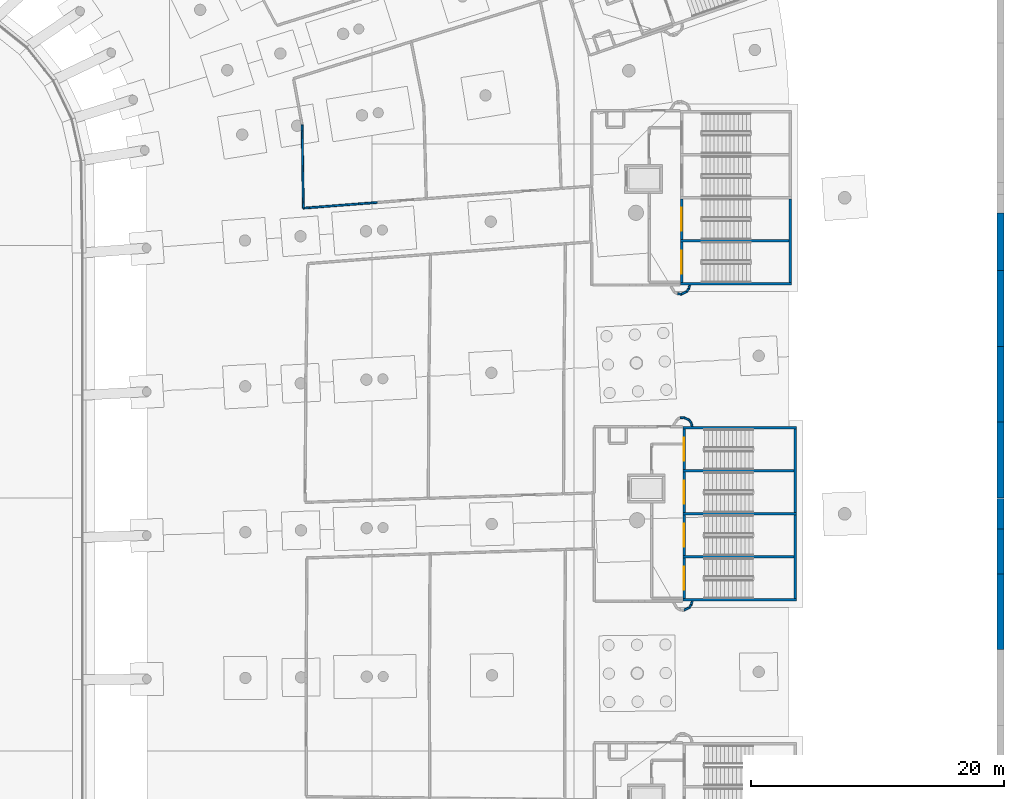
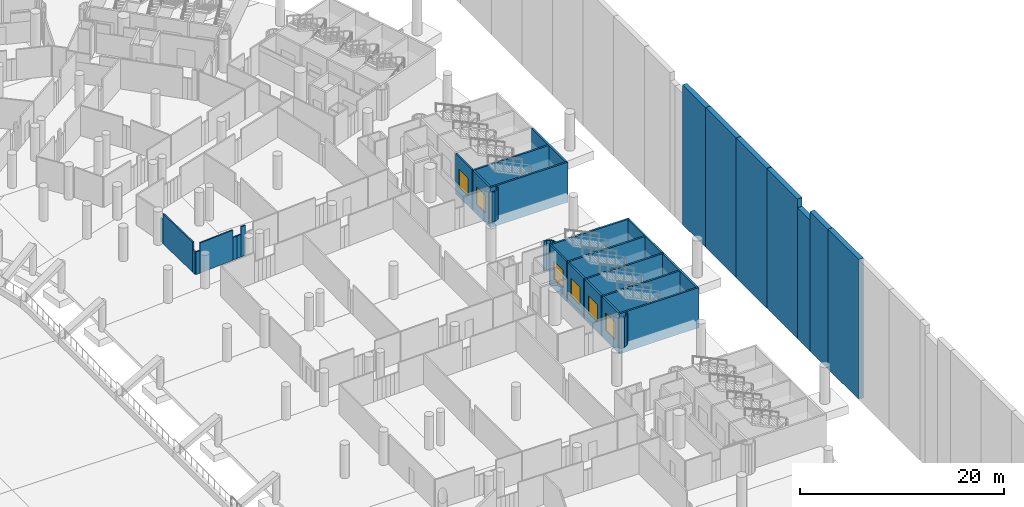
# One storey, part 84 of 142: 42 walls, 6 doors, 6 openings.
"""IFC4 building model written with IfcOpenShell, lengths in metres."""

from ifc_helpers import new_model, si_unit, direction, frame, frame_2d, origin, place, context, subcontext, project, spatial, rectangle, extrude, material, layer, layer_set, type_object, element, fill, save


model = new_model("IFC4")

# Units and contexts
model_context = context("Model", 3, precision=1e-05, world=origin(), true_north=direction((0.0, 1.0)))
body_context = subcontext(model_context, "Body", "Model", "MODEL_VIEW")
ifc_project = project(units=[si_unit("LENGTHUNIT", "METRE"), si_unit("AREAUNIT", "SQUARE_METRE"), si_unit("VOLUMEUNIT", "CUBIC_METRE"), si_unit("PLANEANGLEUNIT", "RADIAN"), si_unit("MASSUNIT", "GRAM", prefix="KILO")], contexts=[model_context])

# Site, building, storey
site_placement = place(None, origin())
site = spatial("IfcSite", under=ifc_project, at=site_placement, CompositionType="ELEMENT")
building_placement = place(site_placement, origin())
building = spatial("IfcBuilding", under=site, at=building_placement, Name="Meseta Stadium", CompositionType="ELEMENT")
storey_placement = place(building_placement, frame((0.0, 0.0, -4.0)))
storey = spatial("IfcBuildingStorey", under=building, at=storey_placement, Name="B1", CompositionType="ELEMENT", Elevation=-4.0)

# Walls
ifc_material_1 = material(Name="Concrete C40/50", Category="concrete")
ifc_layer_1 = layer(ifc_material_1, 0.199951171875)
ifc_layer_set_1 = layer_set([ifc_layer_1], Name="Core divider wall 200")
wall_type_1 = type_object("IfcWallType", Name="Core divider wall 200", PredefinedType="SHEAR", material=ifc_layer_set_1)
for number, where, z_axis, x_axis, name in (
    (1, (97.60009765625, 15.35009765625, -1.199951171875), (0.0, 0.0, 1.0), (-1.0, 0.0, 0.0), "Core 04 B1 stair A divider wall"),
    (2, (97.60009765625, 22.14990234375, -1.199951171875), (0.0, 0.0, 1.0), (-1.0, 0.0, 0.0), "Core 04 B1 stair B divider wall"),
):
    element("IfcWall", number, at=place(storey_placement, frame(where, z_axis=z_axis, x_axis=x_axis)), inside=storey, type_object=wall_type_1, Name=name, PredefinedType="SHEAR", context=body_context, shape_type="SweptSolid", body=[
        extrude(rectangle(XDim=9.0, YDim=0.199951171875, at=frame_2d((4.5, 0.0))), origin(), (0.0, 0.0, 1.0), 4.800048828125),
    ])
wall_1_placement = place(storey_placement, frame((97.199951171875, 40.35009765625, -1.199951171875), z_axis=(0.0, 0.0, 1.0), x_axis=(-1.0, 0.0, 0.0)))
element("IfcWall", 3, at=wall_1_placement, inside=storey, type_object=wall_type_1, Name="Core 05 B1 stair A divider wall", PredefinedType="SHEAR", context=body_context, shape_type="SweptSolid", body=[
    extrude(rectangle(XDim=8.800048828125, YDim=0.199951171875, at=frame_2d((4.39990234375, 0.0))), origin(), (0.0, 0.0, 1.0), 4.800048828125),
])
ifc_material_2 = material(Name="Concrete C40/50", Category="concrete")
ifc_layer_2 = layer(ifc_material_2, 0.199951171875)
ifc_layer_set_2 = layer_set([ifc_layer_2], Name="Core shaft wall 200")
wall_type_2 = type_object("IfcWallType", Name="Core shaft wall 200", PredefinedType="SHEAR", material=ifc_layer_set_2)
for number, where, z_axis, x_axis, name in (
    (4, (97.60009765625, 11.949951171875, -1.199951171875), (0.0, 0.0, 1.0), (-1.0, 0.0, 0.0), "Core 04 B1 stair wall A-side"),
    (5, (97.60009765625, 18.75, -1.199951171875), (0.0, 0.0, 1.0), (-1.0, 0.0, 0.0), "Core 04 B1 stair wall shared"),
    (6, (97.60009765625, 25.550048828125, -1.199951171875), (0.0, 0.0, 1.0), (-1.0, 0.0, 0.0), "Core 04 B1 stair wall B-side"),
):
    element("IfcWall", number, at=place(storey_placement, frame(where, z_axis=z_axis, x_axis=x_axis)), inside=storey, type_object=wall_type_2, Name=name, PredefinedType="SHEAR", context=body_context, shape_type="SweptSolid", body=[
        extrude(rectangle(XDim=9.0, YDim=0.199951171875, at=frame_2d((4.5, 0.0))), origin(), (0.0, 0.0, 1.0), 4.800048828125),
    ])
for number, where, z_axis, x_axis, name in (
    (7, (97.5, 12.050048828125, -1.199951171875), (0.0, 0.0, 1.0), (0.0, 1.0, 0.0), "Core 04 B1 stair A outer end wall"),
    (8, (97.5, 18.85009765625, -1.199951171875), (0.0, 0.0, 1.0), (0.0, 1.0, 0.0), "Core 04 B1 stair B outer end wall"),
):
    element("IfcWall", number, at=place(storey_placement, frame(where, z_axis=z_axis, x_axis=x_axis)), inside=storey, type_object=wall_type_2, Name=name, PredefinedType="SHEAR", context=body_context, shape_type="SweptSolid", body=[
        extrude(rectangle(XDim=6.599853515625, YDim=0.199951171875, at=frame_2d((3.2998046875, 0.0))), origin(), (0.0, 0.0, 1.0), 4.800048828125),
    ])

# Wall, opening, door
wall_2_placement = place(storey_placement, frame((88.699951171875, 12.050048828125, -1.199951171875), z_axis=(0.0, 0.0, 1.0), x_axis=(0.0, 1.0, 0.0)))
wall_2 = element("IfcWall", 9, at=wall_2_placement, inside=storey, type_object=wall_type_2, Name="Core 04 B1 stair A1 inner end wall", PredefinedType="SHEAR", context=body_context, shape_type="SweptSolid", body=[
    extrude(rectangle(XDim=3.199951171875, YDim=0.199951171875, at=frame_2d((1.60009765625, 0.0))), origin(), (0.0, 0.0, 1.0), 4.800048828125),
])
opening_1_placement = place(wall_2_placement, frame((0.699951171875, 0.0, 1.199951171875)))
opening_1 = element("IfcOpeningElement", 10, at=opening_1_placement, cuts=wall_2, Name="Opening D067", PredefinedType="OPENING", context=body_context, shape_type="SweptSolid", body=[
    extrude(rectangle(XDim=1.800048828125, YDim=2.10009765625, at=frame_2d((0.89990234375, 1.050048828125))), frame((0.0, 0.10986328125, 0.0), z_axis=(0.0, -1.0, 0.0), x_axis=(1.0, 0.0, 0.0)), (0.0, 0.0, 1.0), 0.219970703125),
])
ifc_material_3 = material(Name="Steel", Category="steel")
door_type = type_object("IfcDoorType", Name="Stair door 1800x2100", OperationType="DOUBLE_DOOR_SINGLE_SWING", PredefinedType="DOOR", material=ifc_material_3)
door_1_placement = place(opening_1_placement, origin())
door_1 = element("IfcDoor", 11, at=door_1_placement, inside=storey, type_object=door_type, Name="Stair A1 door 04 B1", OperationType="DOUBLE_DOOR_SINGLE_SWING", OverallHeight=2.10009765625, OverallWidth=1.800048828125, PredefinedType="DOOR", context=body_context, shape_type="SweptSolid", body=[
    extrude(rectangle(XDim=1.800048828125, YDim=2.10009765625, at=frame_2d((0.89990234375, 1.050048828125))), frame((0.0, 0.02490234375, 0.0), z_axis=(0.0, -1.0, 0.0), x_axis=(1.0, 0.0, 0.0)), (0.0, 0.0, 1.0), 0.050048828125),
])
fill(opening_1, door_1)

wall_3_placement = place(storey_placement, frame((88.699951171875, 15.449951171875, -1.199951171875), z_axis=(0.0, 0.0, 1.0), x_axis=(0.0, 1.0, 0.0)))
wall_3 = element("IfcWall", 12, at=wall_3_placement, inside=storey, type_object=wall_type_2, Name="Core 04 B1 stair A2 inner end wall", PredefinedType="SHEAR", context=body_context, shape_type="SweptSolid", body=[
    extrude(rectangle(XDim=3.199951171875, YDim=0.199951171875, at=frame_2d((1.60009765625, 0.0))), origin(), (0.0, 0.0, 1.0), 4.800048828125),
])
opening_2_placement = place(wall_3_placement, frame((0.699951171875, 0.0, 1.199951171875)))
opening_2 = element("IfcOpeningElement", 13, at=opening_2_placement, cuts=wall_3, Name="Opening D068", PredefinedType="OPENING", context=body_context, shape_type="SweptSolid", body=[
    extrude(rectangle(XDim=1.800048828125, YDim=2.10009765625, at=frame_2d((0.89990234375, 1.050048828125))), frame((0.0, 0.10986328125, 0.0), z_axis=(0.0, -1.0, 0.0), x_axis=(1.0, 0.0, 0.0)), (0.0, 0.0, 1.0), 0.219970703125),
])
door_2_placement = place(opening_2_placement, origin())
door_2 = element("IfcDoor", 14, at=door_2_placement, inside=storey, type_object=door_type, Name="Stair A2 door 04 B1", OperationType="DOUBLE_DOOR_SINGLE_SWING", OverallHeight=2.10009765625, OverallWidth=1.800048828125, PredefinedType="DOOR", context=body_context, shape_type="SweptSolid", body=[
    extrude(rectangle(XDim=1.800048828125, YDim=2.10009765625, at=frame_2d((0.89990234375, 1.050048828125))), frame((0.0, 0.02490234375, 0.0), z_axis=(0.0, -1.0, 0.0), x_axis=(1.0, 0.0, 0.0)), (0.0, 0.0, 1.0), 0.050048828125),
])
fill(opening_2, door_2)

wall_4_placement = place(storey_placement, frame((88.699951171875, 18.85009765625, -1.199951171875), z_axis=(0.0, 0.0, 1.0), x_axis=(0.0, 1.0, 0.0)))
wall_4 = element("IfcWall", 15, at=wall_4_placement, inside=storey, type_object=wall_type_2, Name="Core 04 B1 stair B1 inner end wall", PredefinedType="SHEAR", context=body_context, shape_type="SweptSolid", body=[
    extrude(rectangle(XDim=3.199951171875, YDim=0.199951171875, at=frame_2d((1.60009765625, 0.0))), origin(), (0.0, 0.0, 1.0), 4.800048828125),
])
opening_3_placement = place(wall_4_placement, frame((0.699951171875, 0.0, 1.199951171875)))
opening_3 = element("IfcOpeningElement", 16, at=opening_3_placement, cuts=wall_4, Name="Opening D069", PredefinedType="OPENING", context=body_context, shape_type="SweptSolid", body=[
    extrude(rectangle(XDim=1.800048828125, YDim=2.10009765625, at=frame_2d((0.89990234375, 1.050048828125))), frame((0.0, 0.10986328125, 0.0), z_axis=(0.0, -1.0, 0.0), x_axis=(1.0, 0.0, 0.0)), (0.0, 0.0, 1.0), 0.219970703125),
])
door_3_placement = place(opening_3_placement, origin())
door_3 = element("IfcDoor", 17, at=door_3_placement, inside=storey, type_object=door_type, Name="Stair B1 door 04 B1", OperationType="DOUBLE_DOOR_SINGLE_SWING", OverallHeight=2.10009765625, OverallWidth=1.800048828125, PredefinedType="DOOR", context=body_context, shape_type="SweptSolid", body=[
    extrude(rectangle(XDim=1.800048828125, YDim=2.10009765625, at=frame_2d((0.89990234375, 1.050048828125))), frame((0.0, 0.02490234375, 0.0), z_axis=(0.0, -1.0, 0.0), x_axis=(1.0, 0.0, 0.0)), (0.0, 0.0, 1.0), 0.050048828125),
])
fill(opening_3, door_3)

wall_5_placement = place(storey_placement, frame((88.699951171875, 22.25, -1.199951171875), z_axis=(0.0, 0.0, 1.0), x_axis=(0.0, 1.0, 0.0)))
wall_5 = element("IfcWall", 18, at=wall_5_placement, inside=storey, type_object=wall_type_2, Name="Core 04 B1 stair B2 inner end wall", PredefinedType="SHEAR", context=body_context, shape_type="SweptSolid", body=[
    extrude(rectangle(XDim=3.199951171875, YDim=0.199951171875, at=frame_2d((1.60009765625, 0.0))), origin(), (0.0, 0.0, 1.0), 4.800048828125),
])
opening_4_placement = place(wall_5_placement, frame((0.699951171875, 0.0, 1.199951171875)))
opening_4 = element("IfcOpeningElement", 19, at=opening_4_placement, cuts=wall_5, Name="Opening D070", PredefinedType="OPENING", context=body_context, shape_type="SweptSolid", body=[
    extrude(rectangle(XDim=1.800048828125, YDim=2.10009765625, at=frame_2d((0.89990234375, 1.050048828125))), frame((0.0, 0.10986328125, 0.0), z_axis=(0.0, -1.0, 0.0), x_axis=(1.0, 0.0, 0.0)), (0.0, 0.0, 1.0), 0.219970703125),
])
door_4_placement = place(opening_4_placement, origin())
door_4 = element("IfcDoor", 20, at=door_4_placement, inside=storey, type_object=door_type, Name="Stair B2 door 04 B1", OperationType="DOUBLE_DOOR_SINGLE_SWING", OverallHeight=2.10009765625, OverallWidth=1.800048828125, PredefinedType="DOOR", context=body_context, shape_type="SweptSolid", body=[
    extrude(rectangle(XDim=1.800048828125, YDim=2.10009765625, at=frame_2d((0.89990234375, 1.050048828125))), frame((0.0, 0.02490234375, 0.0), z_axis=(0.0, -1.0, 0.0), x_axis=(1.0, 0.0, 0.0)), (0.0, 0.0, 1.0), 0.050048828125),
])
fill(opening_4, door_4)

# Walls
wall_6_placement = place(storey_placement, frame((97.199951171875, 36.949951171875, -1.199951171875), z_axis=(0.0, 0.0, 1.0), x_axis=(-1.0, 0.0, 0.0)))
element("IfcWall", 21, at=wall_6_placement, inside=storey, type_object=wall_type_2, Name="Core 05 B1 stair wall A-side", PredefinedType="SHEAR", context=body_context, shape_type="SweptSolid", body=[
    extrude(rectangle(XDim=8.800048828125, YDim=0.199951171875, at=frame_2d((4.39990234375, 0.0))), origin(), (0.0, 0.0, 1.0), 4.800048828125),
])
wall_7_placement = place(storey_placement, frame((97.10009765625, 37.050048828125, -1.199951171875), z_axis=(0.0, 0.0, 1.0), x_axis=(0.0, 1.0, 0.0)))
element("IfcWall", 22, at=wall_7_placement, inside=storey, type_object=wall_type_2, Name="Core 05 B1 stair A outer end wall", PredefinedType="SHEAR", context=body_context, shape_type="SweptSolid", body=[
    extrude(rectangle(XDim=6.599853515625, YDim=0.199951171875, at=frame_2d((3.2998046875, 0.0))), origin(), (0.0, 0.0, 1.0), 4.800048828125),
])

# Wall, opening, door
wall_8_placement = place(storey_placement, frame((88.5, 37.050048828125, -1.199951171875), z_axis=(0.0, 0.0, 1.0), x_axis=(0.0, 1.0, 0.0)))
wall_8 = element("IfcWall", 23, at=wall_8_placement, inside=storey, type_object=wall_type_2, Name="Core 05 B1 stair A1 inner end wall", PredefinedType="SHEAR", context=body_context, shape_type="SweptSolid", body=[
    extrude(rectangle(XDim=3.199951171875, YDim=0.199951171875, at=frame_2d((1.60009765625, 0.0))), origin(), (0.0, 0.0, 1.0), 4.800048828125),
])
opening_5_placement = place(wall_8_placement, frame((0.699951171875, 0.0, 1.199951171875)))
opening_5 = element("IfcOpeningElement", 24, at=opening_5_placement, cuts=wall_8, Name="Opening D079", PredefinedType="OPENING", context=body_context, shape_type="SweptSolid", body=[
    extrude(rectangle(XDim=1.800048828125, YDim=2.10009765625, at=frame_2d((0.89990234375, 1.050048828125))), frame((0.0, 0.10986328125, 0.0), z_axis=(0.0, -1.0, 0.0), x_axis=(1.0, 0.0, 0.0)), (0.0, 0.0, 1.0), 0.219970703125),
])
door_5_placement = place(opening_5_placement, origin())
door_5 = element("IfcDoor", 25, at=door_5_placement, inside=storey, type_object=door_type, Name="Stair A1 door 05 B1", OperationType="DOUBLE_DOOR_SINGLE_SWING", OverallHeight=2.10009765625, OverallWidth=1.800048828125, PredefinedType="DOOR", context=body_context, shape_type="SweptSolid", body=[
    extrude(rectangle(XDim=1.800048828125, YDim=2.10009765625, at=frame_2d((0.89990234375, 1.050048828125))), frame((0.0, 0.02490234375, 0.0), z_axis=(0.0, -1.0, 0.0), x_axis=(1.0, 0.0, 0.0)), (0.0, 0.0, 1.0), 0.050048828125),
])
fill(opening_5, door_5)

wall_9_placement = place(storey_placement, frame((88.5, 40.449951171875, -1.199951171875), z_axis=(0.0, 0.0, 1.0), x_axis=(0.0, 1.0, 0.0)))
wall_9 = element("IfcWall", 26, at=wall_9_placement, inside=storey, type_object=wall_type_2, Name="Core 05 B1 stair A2 inner end wall", PredefinedType="SHEAR", context=body_context, shape_type="SweptSolid", body=[
    extrude(rectangle(XDim=3.199951171875, YDim=0.199951171875, at=frame_2d((1.60009765625, 0.0))), origin(), (0.0, 0.0, 1.0), 4.800048828125),
])
opening_6_placement = place(wall_9_placement, frame((0.699951171875, 0.0, 1.199951171875)))
opening_6 = element("IfcOpeningElement", 27, at=opening_6_placement, cuts=wall_9, Name="Opening D080", PredefinedType="OPENING", context=body_context, shape_type="SweptSolid", body=[
    extrude(rectangle(XDim=1.800048828125, YDim=2.10009765625, at=frame_2d((0.89990234375, 1.050048828125))), frame((0.0, 0.10986328125, 0.0), z_axis=(0.0, -1.0, 0.0), x_axis=(1.0, 0.0, 0.0)), (0.0, 0.0, 1.0), 0.219970703125),
])
door_6_placement = place(opening_6_placement, origin())
door_6 = element("IfcDoor", 28, at=door_6_placement, inside=storey, type_object=door_type, Name="Stair A2 door 05 B1", OperationType="DOUBLE_DOOR_SINGLE_SWING", OverallHeight=2.10009765625, OverallWidth=1.800048828125, PredefinedType="DOOR", context=body_context, shape_type="SweptSolid", body=[
    extrude(rectangle(XDim=1.800048828125, YDim=2.10009765625, at=frame_2d((0.89990234375, 1.050048828125))), frame((0.0, 0.02490234375, 0.0), z_axis=(0.0, -1.0, 0.0), x_axis=(1.0, 0.0, 0.0)), (0.0, 0.0, 1.0), 0.050048828125),
])
fill(opening_6, door_6)

# Walls
ifc_material_4 = material(Name="Masonry blockwork", Category="masonry")
ifc_layer_3 = layer(ifc_material_4, 0.14990234375)
ifc_layer_set_3 = layer_set([ifc_layer_3], Name="Partition 150")
wall_type_3 = type_object("IfcWallType", Name="Partition 150", PredefinedType="PARTITIONING", material=ifc_layer_set_3)
wall_10_placement = place(storey_placement, frame((64.412353515625, 43.37841796875, 0.0), z_axis=(0.0, 0.0, 1.0), x_axis=(-0.997098508506, -0.076122035808, 0.0)))
element("IfcWall", 29, at=wall_10_placement, inside=storey, type_object=wall_type_3, Name="Partition B1 B1-cell04-1-0", PredefinedType="PARTITIONING", context=body_context, shape_type="SweptSolid", body=[
    extrude(rectangle(XDim=0.487548828125, YDim=0.14990234375, at=frame_2d((0.24365234375, 0.0))), origin(), (0.0, 0.0, 1.0), 3.60009765625),
])
for number, where, z_axis, x_axis, name in (
    (30, (63.92626953125, 43.34130859375, 0.0), (0.0, 0.0, 1.0), (-0.997021994117, -0.077117723302, 0.0), "Partition B1 B1-cell04-1-0"),
    (31, (63.440185546875, 43.3037109375, 0.0), (0.0, 0.0, 1.0), (-0.997098508506, -0.076122035808, 0.0), "Partition B1 B1-cell04-1-0"),
):
    element("IfcWall", number, at=place(storey_placement, frame(where, z_axis=z_axis, x_axis=x_axis)), inside=storey, type_object=wall_type_3, Name=name, PredefinedType="PARTITIONING", context=body_context, shape_type="SweptSolid", body=[
        extrude(rectangle(XDim=0.487548828125, YDim=0.14990234375, at=frame_2d((0.24365234375, 0.0))), origin(), (0.0, 0.0, 1.0), 2.699951171875),
    ])
wall_11_placement = place(storey_placement, frame((62.9541015625, 43.2666015625, 0.0), z_axis=(0.0, 0.0, 1.0), x_axis=(-0.997065154365, -0.076557677285, 0.0)))
element("IfcWall", 32, at=wall_11_placement, inside=storey, type_object=wall_type_3, Name="Partition B1 B1-cell04-1-0", PredefinedType="PARTITIONING", context=body_context, shape_type="SweptSolid", body=[
    extrude(rectangle(XDim=3.900146484375, YDim=0.14990234375, at=frame_2d((1.9501953125, 0.0))), origin(), (0.0, 0.0, 1.0), 3.60009765625),
])
wall_12_placement = place(storey_placement, frame((59.0654296875, 42.968017578125, 0.0), z_axis=(0.0, 0.0, 1.0), x_axis=(-0.997098508506, -0.076122035808, 0.0)))
element("IfcWall", 33, at=wall_12_placement, inside=storey, type_object=wall_type_3, Name="Partition B1 B1-cell04-1-0", PredefinedType="PARTITIONING", context=body_context, shape_type="SweptSolid", body=[
    extrude(rectangle(XDim=0.487548828125, YDim=0.14990234375, at=frame_2d((0.24365234375, 0.0))), origin(), (0.0, 0.0, 1.0), 2.699951171875),
])
wall_13_placement = place(storey_placement, frame((58.579345703125, 42.930908203125, 0.0), z_axis=(0.0, 0.0, 1.0), x_axis=(-0.015071053187, 0.999886425228, 0.0)))
element("IfcWall", 34, at=wall_13_placement, inside=storey, type_object=wall_type_3, Name="Partition B1 B1-cell04-1-0", PredefinedType="PARTITIONING", context=body_context, shape_type="SweptSolid", body=[
    extrude(rectangle(XDim=0.4697265625, YDim=0.14990234375, at=frame_2d((0.23486328125, 0.0))), origin(), (0.0, 0.0, 1.0), 2.699951171875),
])
wall_14_placement = place(storey_placement, frame((58.572265625, 43.400634765625, 0.0), z_axis=(0.0, 0.0, 1.0), x_axis=(-0.015237645377, 0.999883900342, 0.0)))
element("IfcWall", 35, at=wall_14_placement, inside=storey, type_object=wall_type_3, Name="Partition B1 B1-cell04-1-0", PredefinedType="PARTITIONING", context=body_context, shape_type="SweptSolid", body=[
    extrude(rectangle(XDim=5.639892578125, YDim=0.14990234375, at=frame_2d((2.81982421875, 0.0))), origin(), (0.0, 0.0, 1.0), 3.60009765625),
])
wall_15_placement = place(storey_placement, frame((58.486328125, 49.039794921875, 0.0), z_axis=(0.0, 0.0, 1.0), x_axis=(-0.015063225845, 0.999886543177, 0.0)))
element("IfcWall", 36, at=wall_15_placement, inside=storey, type_object=wall_type_3, Name="Partition B1 B1-cell04-1-0", PredefinedType="PARTITIONING", context=body_context, shape_type="SweptSolid", body=[
    extrude(rectangle(XDim=0.469970703125, YDim=0.14990234375, at=frame_2d((0.23486328125, 0.0))), origin(), (0.0, 0.0, 1.0), 2.85009765625),
])
wall_16_placement = place(storey_placement, frame((88.677001953125, 11.12646484375, 0.0), z_axis=(0.0, 0.0, 1.0), x_axis=(0.90398642908, 0.427561148889, 0.0)))
element("IfcWall", 37, at=wall_16_placement, inside=storey, type_object=wall_type_3, Name="Stair vestibule wall B1 core 04", PredefinedType="PARTITIONING", context=body_context, shape_type="SweptSolid", body=[
    extrude(rectangle(XDim=0.479736328125, YDim=0.14990234375, at=frame_2d((0.23974609375, 0.0))), origin(), (0.0, 0.0, 1.0), 3.60009765625),
])
wall_17_placement = place(storey_placement, frame((89.110595703125, 11.33154296875, 0.0), z_axis=(0.0, 0.0, 1.0), x_axis=(0.555678694372, 0.831397130511, 0.0)))
element("IfcWall", 38, at=wall_17_placement, inside=storey, type_object=wall_type_3, Name="Stair vestibule wall B1 core 04", PredefinedType="PARTITIONING", context=body_context, shape_type="SweptSolid", body=[
    extrude(rectangle(XDim=0.287841796875, YDim=0.14990234375, at=frame_2d((0.14404296875, 0.0))), origin(), (0.0, 0.0, 1.0), 3.60009765625),
])
for number, where, z_axis, x_axis, name in (
    (39, (89.2705078125, 11.57080078125, 0.0), (0.0, 0.0, 1.0), (0.230253879357, 0.973130593004, 0.0), "Stair vestibule wall B1 core 04"),
    (40, (89.329833984375, 25.678466796875, 0.0), (0.0, 0.0, 1.0), (-0.230253879357, 0.973130593004, 0.0), "Stair vestibule wall B1 core 04"),
):
    element("IfcWall", number, at=place(storey_placement, frame(where, z_axis=z_axis, x_axis=x_axis)), inside=storey, type_object=wall_type_3, Name=name, PredefinedType="PARTITIONING", context=body_context, shape_type="SweptSolid", body=[
        extrude(rectangle(XDim=0.257568359375, YDim=0.14990234375, at=frame_2d((0.12890625, 0.0))), origin(), (0.0, 0.0, 1.0), 3.60009765625),
    ])
wall_18_placement = place(storey_placement, frame((89.2705078125, 25.92919921875, 0.0), z_axis=(0.0, 0.0, 1.0), x_axis=(-0.555678694372, 0.831397130511, 0.0)))
element("IfcWall", 41, at=wall_18_placement, inside=storey, type_object=wall_type_3, Name="Stair vestibule wall B1 core 04", PredefinedType="PARTITIONING", context=body_context, shape_type="SweptSolid", body=[
    extrude(rectangle(XDim=0.287841796875, YDim=0.14990234375, at=frame_2d((0.14404296875, 0.0))), origin(), (0.0, 0.0, 1.0), 3.60009765625),
])
wall_19_placement = place(storey_placement, frame((89.110595703125, 26.16845703125, 0.0), z_axis=(0.0, 0.0, 1.0), x_axis=(-0.90398642908, 0.427561148889, 0.0)))
element("IfcWall", 42, at=wall_19_placement, inside=storey, type_object=wall_type_3, Name="Stair vestibule wall B1 core 04", PredefinedType="PARTITIONING", context=body_context, shape_type="SweptSolid", body=[
    extrude(rectangle(XDim=0.479736328125, YDim=0.14990234375, at=frame_2d((0.23974609375, 0.0))), origin(), (0.0, 0.0, 1.0), 3.60009765625),
])
for number, where, z_axis, x_axis, name in (
    (43, (88.677001953125, 26.37353515625, 0.0), (0.0, 0.0, 1.0), (-0.995194714408, -0.097915680128, 0.0), "Stair vestibule wall B1 core 04"),
    (44, (88.189208984375, 36.15478515625, 0.0), (0.0, 0.0, 1.0), (0.995194714408, -0.097915680128, 0.0), "Stair vestibule wall B1 core 05"),
):
    element("IfcWall", number, at=place(storey_placement, frame(where, z_axis=z_axis, x_axis=x_axis)), inside=storey, type_object=wall_type_3, Name=name, PredefinedType="PARTITIONING", context=body_context, shape_type="SweptSolid", body=[
        extrude(rectangle(XDim=0.289306640625, YDim=0.14990234375, at=frame_2d((0.14453125, 0.0))), origin(), (0.0, 0.0, 1.0), 3.60009765625),
    ])
wall_20_placement = place(storey_placement, frame((88.47705078125, 36.12646484375, 0.0), z_axis=(0.0, 0.0, 1.0), x_axis=(0.903893315025, 0.427757963167, 0.0)))
element("IfcWall", 45, at=wall_20_placement, inside=storey, type_object=wall_type_3, Name="Stair vestibule wall B1 core 05", PredefinedType="PARTITIONING", context=body_context, shape_type="SweptSolid", body=[
    extrude(rectangle(XDim=0.4794921875, YDim=0.14990234375, at=frame_2d((0.23974609375, 0.0))), origin(), (0.0, 0.0, 1.0), 3.60009765625),
])
wall_21_placement = place(storey_placement, frame((88.910400390625, 36.33154296875, 0.0), z_axis=(0.0, 0.0, 1.0), x_axis=(0.555678694372, 0.831397130511, 0.0)))
element("IfcWall", 46, at=wall_21_placement, inside=storey, type_object=wall_type_3, Name="Stair vestibule wall B1 core 05", PredefinedType="PARTITIONING", context=body_context, shape_type="SweptSolid", body=[
    extrude(rectangle(XDim=0.287841796875, YDim=0.14990234375, at=frame_2d((0.14404296875, 0.0))), origin(), (0.0, 0.0, 1.0), 3.60009765625),
])
wall_22_placement = place(storey_placement, frame((89.0703125, 36.57080078125, 0.0), z_axis=(0.0, 0.0, 1.0), x_axis=(0.231150896285, 0.972917911823, 0.0)))
element("IfcWall", 47, at=wall_22_placement, inside=storey, type_object=wall_type_3, Name="Stair vestibule wall B1 core 05", PredefinedType="PARTITIONING", context=body_context, shape_type="SweptSolid", body=[
    extrude(rectangle(XDim=0.2578125, YDim=0.14990234375, at=frame_2d((0.12890625, 0.0))), origin(), (0.0, 0.0, 1.0), 3.60009765625),
])
ifc_material_5 = material(Name="Concrete C30/37", Category="concrete")
ifc_layer_4 = layer(ifc_material_5, 0.550048828125)
ifc_layer_set_4 = layer_set([ifc_layer_4], Name="Site retaining wall 550")
wall_type_4 = type_object("IfcWallType", Name="Site retaining wall 550", PredefinedType="SOLIDWALL", material=ifc_layer_set_4)
wall_23_placement = place(storey_placement, frame((113.72509765625, 8.0, -13.0), z_axis=(0.0, 0.0, 1.0), x_axis=(0.0, 1.0, 0.0)))
element("IfcWall", 48, at=wall_23_placement, inside=storey, type_object=wall_type_4, Name="Site retaining wall 77", PredefinedType="SOLIDWALL", context=body_context, shape_type="SweptSolid", body=[
    extrude(rectangle(XDim=6.0, YDim=0.550048828125, at=frame_2d((3.0, 0.0))), origin(), (0.0, 0.0, 1.0), 16.75),
])
wall_24_placement = place(storey_placement, frame((113.72509765625, 14.0, -13.0), z_axis=(0.0, 0.0, 1.0), x_axis=(0.0, 1.0, 0.0)))
element("IfcWall", 49, at=wall_24_placement, inside=storey, type_object=wall_type_4, Name="Site retaining wall 78", PredefinedType="SOLIDWALL", context=body_context, shape_type="SweptSolid", body=[
    extrude(rectangle(XDim=3.550048828125, YDim=0.550048828125, at=frame_2d((1.77490234375, 0.0))), origin(), (0.0, 0.0, 1.0), 16.699951171875),
])
wall_25_placement = place(storey_placement, frame((113.72509765625, 17.550048828125, -13.0), z_axis=(0.0, 0.0, 1.0), x_axis=(0.0, 1.0, 0.0)))
element("IfcWall", 50, at=wall_25_placement, inside=storey, type_object=wall_type_4, Name="Site retaining wall 79", PredefinedType="SOLIDWALL", context=body_context, shape_type="SweptSolid", body=[
    extrude(rectangle(XDim=2.39990234375, YDim=0.550048828125, at=frame_2d((1.199951171875, 0.0))), origin(), (0.0, 0.0, 1.0), 15.699951171875),
])
wall_26_placement = place(storey_placement, frame((113.72509765625, 20.0, -13.0), z_axis=(0.0, 0.0, 1.0), x_axis=(0.0, 1.0, 0.0)))
element("IfcWall", 51, at=wall_26_placement, inside=storey, type_object=wall_type_4, Name="Site retaining wall 80", PredefinedType="SOLIDWALL", context=body_context, shape_type="SweptSolid", body=[
    extrude(rectangle(XDim=6.0, YDim=0.550048828125, at=frame_2d((3.0, 0.0))), origin(), (0.0, 0.0, 1.0), 16.699951171875),
])
for number, where, z_axis, x_axis, name in (
    (52, (113.72509765625, 26.0, -13.0), (0.0, 0.0, 1.0), (0.0, 1.0, 0.0), "Site retaining wall 81"),
    (53, (113.72509765625, 32.0, -13.0), (0.0, 0.0, 1.0), (0.0, 1.0, 0.0), "Site retaining wall 82"),
):
    element("IfcWall", number, at=place(storey_placement, frame(where, z_axis=z_axis, x_axis=x_axis)), inside=storey, type_object=wall_type_4, Name=name, PredefinedType="SOLIDWALL", context=body_context, shape_type="SweptSolid", body=[
        extrude(rectangle(XDim=6.0, YDim=0.550048828125, at=frame_2d((3.0, 0.0))), origin(), (0.0, 0.0, 1.0), 16.75),
    ])
wall_27_placement = place(storey_placement, frame((113.72509765625, 38.0, -13.0), z_axis=(0.0, 0.0, 1.0), x_axis=(0.0, 1.0, 0.0)))
element("IfcWall", 54, at=wall_27_placement, inside=storey, type_object=wall_type_4, Name="Site retaining wall 83", PredefinedType="SOLIDWALL", context=body_context, shape_type="SweptSolid", body=[
    extrude(rectangle(XDim=4.550048828125, YDim=0.550048828125, at=frame_2d((2.27490234375, 0.0))), origin(), (0.0, 0.0, 1.0), 16.699951171875),
])

save(model, "model.ifc")
